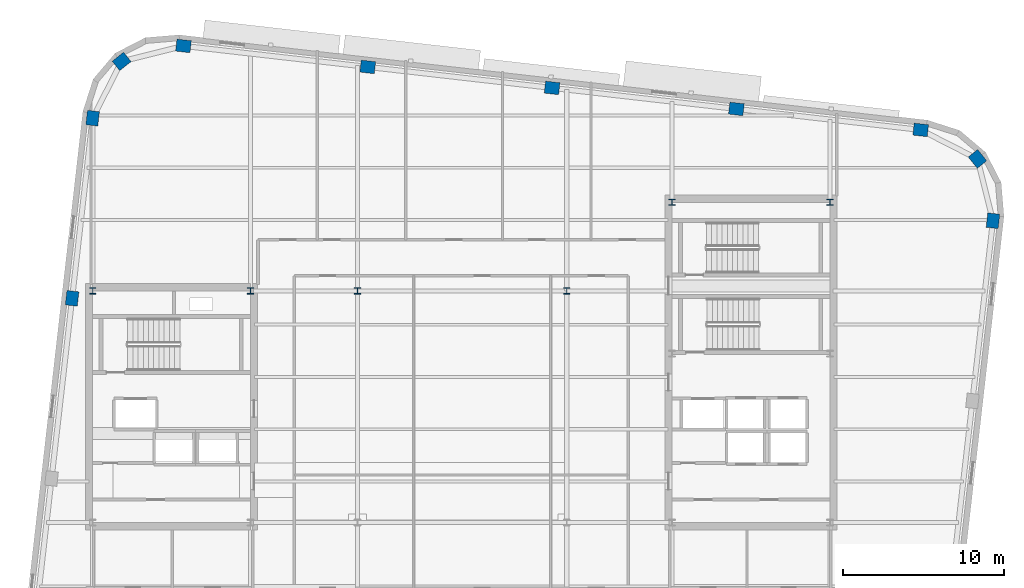
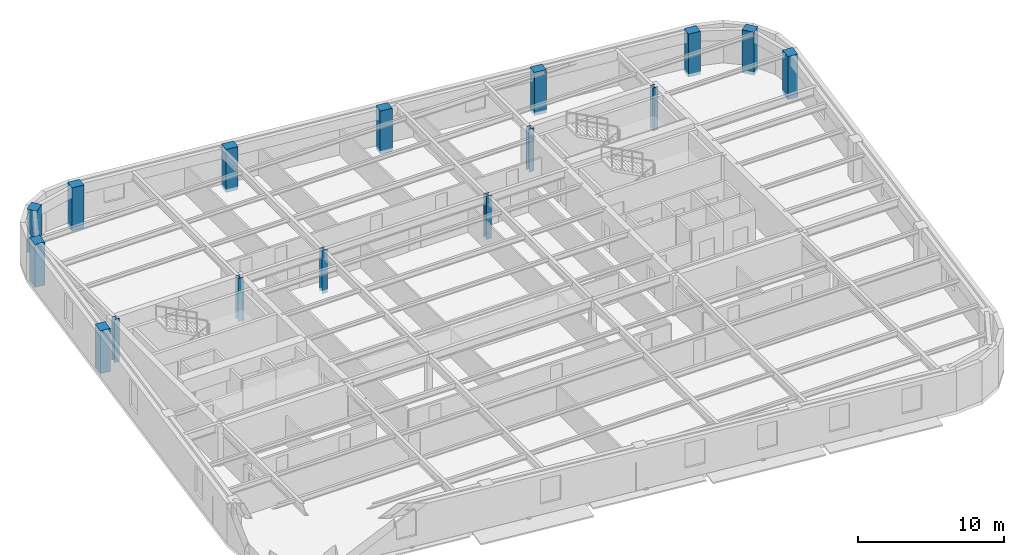
# One storey, part 2 of 13: 16 columns.
"""IFC4 building model written with IfcOpenShell, lengths in metres."""

import ifcopenshell
import ifcopenshell.guid

model = None  # the IFC model being written
_history = None  # IfcOwnerHistory: only IFC2X3 demands one
_inside = {}  # id of a spatial element -> (the spatial element, [elements in it])
_under = {}  # id of a project, library or spatial element -> (it, [spatial elements below it])
_declared = {}  # id of a project -> (the project, [libraries it declares])
_typed = {}  # id of a type object -> (the type object, [elements of that type])
_made_of = {}  # id of a material, layer set ... -> (it, [elements and type objects made of it])


def new_model(schema):
    """Start an empty IFC model of exactly this schema.

    Asked for "IFC4X3", IfcOpenShell would pick the latest addendum, in which some entities
    have other attributes; the version numbers below select the first issue.
    IFC2X3 requires an IfcOwnerHistory on every rooted entity: one is made here for all.
    """
    global model, _history
    if schema == "IFC4X3":
        model = ifcopenshell.file(schema_version=(4, 3, 0, 0))
    else:
        model = ifcopenshell.file(schema=schema)
    _inside.clear()
    _under.clear()
    _declared.clear()
    _typed.clear()
    _made_of.clear()
    _history = None
    if model.schema == "IFC2X3":
        org = make("IfcOrganization", Name="unknown")
        user = make(
            "IfcPersonAndOrganization",
            ThePerson=make("IfcPerson", FamilyName="unknown"),
            TheOrganization=org,
        )
        app = make(
            "IfcApplication",
            ApplicationDeveloper=org,
            Version="unknown",
            ApplicationFullName="unknown",
            ApplicationIdentifier="unknown",
        )
        _history = make(
            "IfcOwnerHistory",
            OwningUser=user,
            OwningApplication=app,
            ChangeAction="ADDED",
            CreationDate=0,
        )
    return model


def make(cls, **values):
    """One entity of the class cls with the attributes given. An attribute that is None is left unset."""
    return model.create_entity(
        cls, **{name: value for name, value in values.items() if value is not None}
    )


def rooted(cls, **values):
    """An entity with a GlobalId (a new one), such as an element, a storey or a relation."""
    return make(cls, GlobalId=ifcopenshell.guid.new(), OwnerHistory=_history, **values)


def si_unit(unit_type, name, prefix=None):
    """IfcSIUnit, for example si_unit("LENGTHUNIT", "METRE", prefix="MILLI")."""
    return make("IfcSIUnit", UnitType=unit_type, Prefix=prefix, Name=name)


def assignment(units):
    """IfcUnitAssignment: the units of a project."""
    return None if units is None else make("IfcUnitAssignment", Units=units)


def point(xyz):
    """IfcCartesianPoint."""
    return None if xyz is None else make("IfcCartesianPoint", Coordinates=xyz)


def direction(xyz):
    """IfcDirection."""
    return None if xyz is None else make("IfcDirection", DirectionRatios=xyz)


def frame(location, z_axis=None, x_axis=None):
    """IfcAxis2Placement3D, a coordinate frame: its origin and axes. An axis left out is left unset."""
    return make(
        "IfcAxis2Placement3D",
        Location=point(location),
        Axis=direction(z_axis),
        RefDirection=direction(x_axis),
    )


def frame_2d(location, x_axis=None):
    """IfcAxis2Placement2D, a coordinate frame in the plane: its origin and x axis."""
    return make(
        "IfcAxis2Placement2D", Location=point(location), RefDirection=direction(x_axis)
    )


def origin():
    """The frame at (0, 0, 0) with its axes left unset."""
    return frame((0.0, 0.0, 0.0))


def origin_2d():
    """The frame at (0, 0) in the plane with its x axis left unset."""
    return frame_2d((0.0, 0.0))


def place(relative_to, where):
    """IfcLocalPlacement: puts the frame where relative to a parent placement (None: the world)."""
    return make(
        "IfcLocalPlacement", PlacementRelTo=relative_to, RelativePlacement=where
    )


def context(
    kind, dimensions, precision=None, world=None, true_north=None, identifier=None
):
    """IfcGeometricRepresentationContext, for example the 3D "Model" context."""
    return make(
        "IfcGeometricRepresentationContext",
        ContextIdentifier=identifier,
        ContextType=kind,
        CoordinateSpaceDimension=dimensions,
        Precision=precision,
        WorldCoordinateSystem=world,
        TrueNorth=true_north,
    )


def subcontext(parent, identifier, kind, view, scale=None):
    """IfcGeometricRepresentationSubContext, for example "Body" below "Model"."""
    return make(
        "IfcGeometricRepresentationSubContext",
        ContextIdentifier=identifier,
        ContextType=kind,
        ParentContext=parent,
        TargetScale=scale,
        TargetView=view,
    )


def project(units=None, contexts=None):
    """IfcProject with its units and contexts."""
    return rooted(
        "IfcProject",
        Name="project",
        RepresentationContexts=contexts,
        UnitsInContext=assignment(units),
    )


def spatial(cls, under=None, at=None, **own):
    """A site, building, storey or space (cls), placed at a placement, below another one or the project."""
    s = rooted(cls, ObjectPlacement=at, **own)
    if under is not None:
        _under.setdefault(under.id(), (under, []))[1].append(s)
    return s


def profile(cls, at=None, kind="AREA", **sizes):
    """A parametric profile (cls). Its sizes go by their IFC names, for example OverallWidth=200.0."""
    return make(cls, ProfileType=kind, Position=at, **sizes)


def rectangle(**sizes):
    """IfcRectangleProfileDef."""
    return profile("IfcRectangleProfileDef", **sizes)


def i_section(**sizes):
    """IfcIShapeProfileDef."""
    return profile("IfcIShapeProfileDef", **sizes)


def extrude(swept, where, along, depth):
    """IfcExtrudedAreaSolid: the profile swept, set in the frame where, extruded along a direction by depth."""
    return make(
        "IfcExtrudedAreaSolid",
        SweptArea=swept,
        Position=where,
        ExtrudedDirection=direction(along),
        Depth=depth,
    )


def shape(context_of_items, identifier, shape_type, items):
    """IfcShapeRepresentation: the items that make up one representation, for example the "Body"."""
    return make(
        "IfcShapeRepresentation",
        ContextOfItems=context_of_items,
        RepresentationIdentifier=identifier,
        RepresentationType=shape_type,
        Items=items,
    )


def material(Name=None, Category=None):
    """IfcMaterial."""
    return make("IfcMaterial", Name=Name, Category=Category)


def material_profile(
    of_material, cross_section, Name=None, Category=None, Priority=None
):
    """IfcMaterialProfile: a cross section and its material."""
    return make(
        "IfcMaterialProfile",
        Name=Name,
        Material=of_material,
        Profile=cross_section,
        Priority=Priority,
        Category=Category,
    )


def profile_set(profiles, Name=None, composite=None):
    """IfcMaterialProfileSet."""
    return make(
        "IfcMaterialProfileSet",
        Name=Name,
        MaterialProfiles=profiles,
        CompositeProfile=composite,
    )


def made_of(thing, what):
    """Note that an element or type object is made of a material, layer set ...; save() writes the relation."""
    if what is not None:
        _made_of.setdefault(what.id(), (what, []))[1].append(thing)
    return thing


def type_object(cls, material=None, **own):
    """A type object (cls), such as IfcWallType, which elements share."""
    return made_of(rooted(cls, **own), material)


def element(
    cls,
    number,
    at=None,
    inside=None,
    cuts=None,
    type_object=None,
    material=None,
    context=None,
    identifier="Body",
    shape_type=None,
    held_by="IfcProductDefinitionShape",
    body=None,
    shapes=None,
    **own,
):
    """One element of the class cls, such as IfcWall. Its Tag is "e" and its number.

    at: its placement. inside: the storey or other place that contains it. cuts: it is an
    opening in that element (IfcRelVoidsElement). A single representation is given by context,
    identifier, shape_type and body (its items); several are given by shapes. held_by: the class
    of the entity that holds the representations. save() writes the other relations.
    """
    e = rooted(cls, Tag="e%d" % number, ObjectPlacement=at, **own)
    if body is not None:
        shapes = [shape(context, identifier, shape_type, body)]
    if shapes is not None:
        e.Representation = make(held_by, Representations=shapes)
    if inside is not None:
        _inside.setdefault(inside.id(), (inside, []))[1].append(e)
    if cuts is not None:
        rooted(
            "IfcRelVoidsElement", RelatingBuildingElement=cuts, RelatedOpeningElement=e
        )
    if type_object is not None:
        _typed.setdefault(type_object.id(), (type_object, []))[1].append(e)
    return made_of(e, material)


def aggregate(whole, parts):
    """IfcRelAggregates: a whole, such as a stair, and the parts it consists of."""
    return rooted("IfcRelAggregates", RelatingObject=whole, RelatedObjects=parts)


def save(model, path):
    """Write the relations noted so far, then the file.

    IfcRelAggregates (storeys below a building ...), IfcRelContainedInSpatialStructure (elements
    in a storey), IfcRelDefinesByType, IfcRelAssociatesMaterial and IfcRelDeclares: one each for
    every whole, place, type object, material and project.
    """
    for whole, parts in _under.values():
        aggregate(whole, parts)
    for where, things in _inside.values():
        rooted(
            "IfcRelContainedInSpatialStructure",
            RelatedElements=things,
            RelatingStructure=where,
        )
    for kind, things in _typed.values():
        rooted("IfcRelDefinesByType", RelatedObjects=things, RelatingType=kind)
    for what, things in _made_of.values():
        rooted("IfcRelAssociatesMaterial", RelatedObjects=things, RelatingMaterial=what)
    for by, libraries in _declared.values():
        rooted("IfcRelDeclares", RelatingContext=by, RelatedDefinitions=libraries)
    model.write(path)


model = new_model("IFC4")

# Units and contexts
model_context = context("Model", 3, precision=1e-05, world=origin(), true_north=direction((0.0, 1.0)))
body_context = subcontext(model_context, "Body", "Model", "MODEL_VIEW")
ifc_project = project(units=[si_unit("LENGTHUNIT", "METRE"), si_unit("AREAUNIT", "SQUARE_METRE"), si_unit("VOLUMEUNIT", "CUBIC_METRE"), si_unit("PLANEANGLEUNIT", "RADIAN"), si_unit("MASSUNIT", "GRAM", prefix="KILO")], contexts=[model_context])

# Site, building, storey
site_placement = place(None, origin())
site = spatial("IfcSite", under=ifc_project, at=site_placement, CompositionType="ELEMENT")
building_placement = place(site_placement, origin())
building = spatial("IfcBuilding", under=site, at=building_placement, Name="Kolvaren Arena Tower", CompositionType="ELEMENT")
storey_placement = place(building_placement, frame((0.0, 0.0, 265.949951171875)))
storey = spatial("IfcBuildingStorey", under=building, at=storey_placement, Name="L65", CompositionType="ELEMENT", Elevation=265.949951171875)

# Columns
ifc_material_1 = material(Name="Precast concrete C55/67", Category="concrete")
ifc_material_profile_1 = material_profile(ifc_material_1, rectangle(XDim=0.89990234375, YDim=0.75, at=origin_2d()), Name="RC-900x750")
ifc_profile_set_1 = profile_set([ifc_material_profile_1], Name="Precast concrete C55/67")
column_type_1 = type_object("IfcColumnType", Name="EXCOL-Z4", PredefinedType="COLUMN", material=ifc_profile_set_1)
for number, where, z_axis, x_axis, name in (
    (1, (70.482177734375, 38.20458984375, -0.27001953125), (0.0, 0.0, 1.0), (0.113203213768, 0.993571855677, 0.0), "Exoskeleton Perimeter Column 10 (L65)"),
    (2, (69.519775390625, 42.047119140625, -0.27001953125), (0.0, 0.0, 1.0), (-0.622514636638, 0.782608156852, 0.0), "Exoskeleton Perimeter Column 11 (L65)"),
    (3, (65.9921875, 43.84912109375, -0.27001953125), (0.0, 0.0, 1.0), (0.993571855677, -0.113203213768, 0.0), "Exoskeleton Perimeter Column 12 (L65)"),
    (4, (54.54150390625, 45.15380859375, -0.27001953125), (0.0, 0.0, 1.0), (0.993571855677, -0.113203213768, 0.0), "Exoskeleton Perimeter Column 13 (L65)"),
    (5, (43.090576171875, 46.45849609375, -0.27001953125), (0.0, 0.0, 1.0), (0.993571855677, -0.113203213768, 0.0), "Exoskeleton Perimeter Column 14 (L65)"),
    (6, (31.6396484375, 47.76318359375, -0.27001953125), (0.0, 0.0, 1.0), (0.993571855677, -0.113203213768, 0.0), "Exoskeleton Perimeter Column 15 (L65)"),
    (7, (20.188720703125, 49.06787109375, -0.27001953125), (0.0, 0.0, 1.0), (0.993571855677, -0.113203213768, 0.0), "Exoskeleton Perimeter Column 16 (L65)"),
    (8, (16.34619140625, 48.10546875, -0.27001953125), (0.0, 0.0, 1.0), (0.782608156852, 0.622514636638, 0.0), "Exoskeleton Perimeter Column 17 (L65)"),
    (9, (14.544189453125, 44.577880859375, -0.27001953125), (0.0, 0.0, 1.0), (0.113203213768, 0.993571855677, 0.0), "Exoskeleton Perimeter Column 18 (L65)"),
    (10, (13.268798828125, 33.3837890625, -0.27001953125), (0.0, 0.0, 1.0), (0.113203213768, 0.993571855677, 0.0), "Exoskeleton Perimeter Column 19 (L65)"),
):
    element("IfcColumn", number, at=place(storey_placement, frame(where, z_axis=z_axis, x_axis=x_axis)), inside=storey, type_object=column_type_1, Name=name, PredefinedType="COLUMN", context=body_context, shape_type="SweptSolid", body=[
        extrude(rectangle(XDim=0.89990234375, YDim=0.75, at=origin_2d()), origin(), (0.0, 0.0, 1.0), 3.60009765625),
    ])
ifc_material_2 = material(Name="Steel ASTM A913 Grade 65", Category="steel")
ifc_material_profile_2 = material_profile(ifc_material_2, i_section(OverallWidth=0.39892578125, OverallDepth=0.39306640625, WebThickness=0.022705078125, FlangeThickness=0.03662109375, FilletRadius=0.02001953125, at=origin_2d()), Name="W360x287")
ifc_profile_set_2 = profile_set([ifc_material_profile_2], Name="Steel ASTM A913 Grade 65")
column_type_2 = type_object("IfcColumnType", Name="SCOL-Z4", PredefinedType="COLUMN", material=ifc_profile_set_2)
for number, where, z_axis, x_axis, name in (
    (11, (14.550048828125, 33.85009765625, -0.27001953125), (0.0, 0.0, 1.0), (1.0, 0.0, 0.0), "Core Boundary Column WC-NW (L65)"),
    (12, (24.35009765625, 33.85009765625, -0.27001953125), (0.0, 0.0, 1.0), (1.0, 0.0, 0.0), "Core Boundary Column WC-NE (L65)"),
    (13, (50.550048828125, 39.35009765625, -0.27001953125), (0.0, 0.0, 1.0), (1.0, 0.0, 0.0), "Core Boundary Column EC-NW (L65)"),
    (14, (60.35009765625, 39.35009765625, -0.27001953125), (0.0, 0.0, 1.0), (1.0, 0.0, 0.0), "Core Boundary Column EC-NE (L65)"),
    (15, (31.0, 33.85009765625, -0.27001953125), (0.0, 0.0, 1.0), (1.0, 0.0, 0.0), "Interior Gravity Column TC-NW (L65)"),
    (16, (44.0, 33.85009765625, -0.27001953125), (0.0, 0.0, 1.0), (1.0, 0.0, 0.0), "Interior Gravity Column TC-NE (L65)"),
):
    element("IfcColumn", number, at=place(storey_placement, frame(where, z_axis=z_axis, x_axis=x_axis)), inside=storey, type_object=column_type_2, Name=name, PredefinedType="COLUMN", context=body_context, shape_type="SweptSolid", body=[
        extrude(i_section(OverallWidth=0.39892578125, OverallDepth=0.39306640625, WebThickness=0.022705078125, FlangeThickness=0.03662109375, FilletRadius=0.02001953125, at=origin_2d()), origin(), (0.0, 0.0, 1.0), 3.60009765625),
    ])

save(model, "model.ifc")
